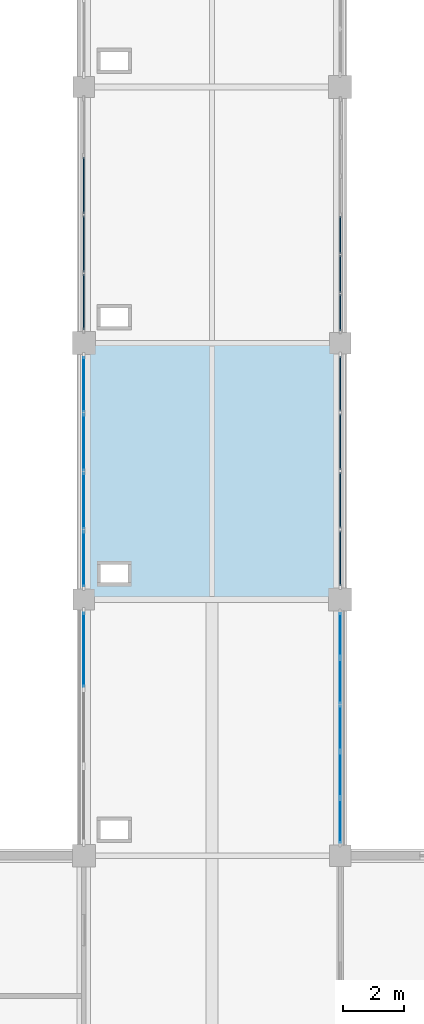
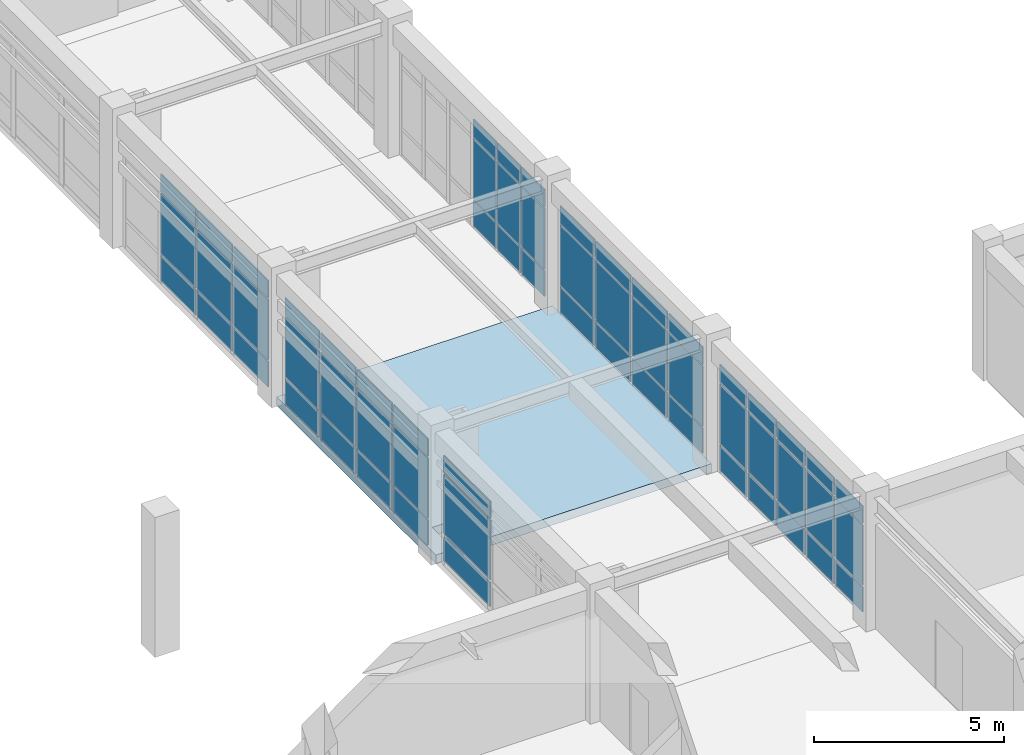
# One storey, part 46 of 78: 60 plates, 1 slab, 6 elements without a shape of their own.
"""IFC4 building model written with IfcOpenShell, lengths in metres."""

from ifc_helpers import new_model, si_unit, direction, frame, origin, origin_2d, place, context, subcontext, project, spatial, polyline, rectangle, outline, extrude, material, layer, layer_set, type_object, element, aggregate, save


model = new_model("IFC4")

# Units and contexts
model_context = context("Model", 3, precision=1e-05, world=origin(), true_north=direction((0.0, 1.0)))
body_context = subcontext(model_context, "Body", "Model", "MODEL_VIEW")
ifc_project = project(units=[si_unit("LENGTHUNIT", "METRE"), si_unit("AREAUNIT", "SQUARE_METRE"), si_unit("VOLUMEUNIT", "CUBIC_METRE"), si_unit("PLANEANGLEUNIT", "RADIAN"), si_unit("MASSUNIT", "GRAM", prefix="KILO")], contexts=[model_context])

# Site, building, storey
site_placement = place(None, origin())
site = spatial("IfcSite", under=ifc_project, at=site_placement, CompositionType="ELEMENT")
building_placement = place(site_placement, origin())
building = spatial("IfcBuilding", under=site, at=building_placement, Name="Porcellanite Civic Hall", CompositionType="ELEMENT")
storey_placement = place(building_placement, frame((0.0, 0.0, 10.260009765625)))
storey = spatial("IfcBuildingStorey", under=building, at=storey_placement, Name="L02", CompositionType="ELEMENT", Elevation=10.260009765625)

# Curtain wall, plates
ifc_material_1 = material(Name="Anodised aluminium and solar laminated glass", Category="aluminium")
ifc_layer_1 = layer(ifc_material_1, 0.179931640625)
ifc_layer_set_1 = layer_set([ifc_layer_1], Name="Anodised aluminium and solar laminated glass")
curtain_wall_type_1 = type_object("IfcCurtainWallType", Name="CW-SYS08", PredefinedType="NOTDEFINED", material=ifc_layer_set_1)
curtain_wall_1_placement = place(storey_placement, origin())
curtain_wall_1 = element("IfcCurtainWall", 1, at=curtain_wall_1_placement, inside=storey, type_object=curtain_wall_type_1, Name="Curtain wall CW-142", PredefinedType="NOTDEFINED")
ifc_material_2 = material(Name="Cyclone laminated solar-control low-E glass", Category="glass")
ifc_layer_2 = layer(ifc_material_2, 0.028076171875)
ifc_layer_set_2 = layer_set([ifc_layer_2], Name="Cyclone laminated solar-control low-E glass")
plate_type_1 = type_object("IfcPlateType", Name="CWP-03", PredefinedType="CURTAIN_PANEL", material=ifc_layer_set_2)
plate_1_placement = place(storey_placement, frame((50.39990234375, 73.9501953125, 0.070068359375), z_axis=(0.0, 0.0, 1.0), x_axis=(0.0, 1.0, 0.0)))
plate_1 = element("IfcPlate", 2, at=plate_1_placement, type_object=plate_type_1, Name="CW-142 panel 3.1", PredefinedType="CURTAIN_PANEL", context=body_context, shape_type="SweptSolid", body=[
    extrude(rectangle(XDim=2.437744140625, YDim=0.028076171875, at=origin_2d()), origin(), (0.0, 0.0, 1.0), 0.794921875),
])
plate_2_placement = place(storey_placement, frame((50.39990234375, 73.9501953125, 0.93505859375), z_axis=(0.0, 0.0, 1.0), x_axis=(0.0, 1.0, 0.0)))
plate_2 = element("IfcPlate", 3, at=plate_2_placement, type_object=plate_type_1, Name="CW-142 panel 3.2", PredefinedType="CURTAIN_PANEL", context=body_context, shape_type="SweptSolid", body=[
    extrude(rectangle(XDim=2.437744140625, YDim=0.028076171875, at=origin_2d()), origin(), (0.0, 0.0, 1.0), 1.919921875),
])
plate_3_placement = place(storey_placement, frame((50.39990234375, 73.9501953125, 2.925048828125), z_axis=(0.0, 0.0, 1.0), x_axis=(0.0, 1.0, 0.0)))
plate_3 = element("IfcPlate", 4, at=plate_3_placement, type_object=plate_type_1, Name="CW-142 panel 3.3", PredefinedType="CURTAIN_PANEL", context=body_context, shape_type="SweptSolid", body=[
    extrude(rectangle(XDim=2.437744140625, YDim=0.028076171875, at=origin_2d()), origin(), (0.0, 0.0, 1.0), 0.544921875),
])
aggregate(curtain_wall_1, [plate_1, plate_2, plate_3])

ifc_material_3 = material(Name="Anodised aluminium and solar laminated glass", Category="aluminium")
ifc_layer_3 = layer(ifc_material_3, 0.179931640625)
ifc_layer_set_3 = layer_set([ifc_layer_3], Name="Anodised aluminium and solar laminated glass")
curtain_wall_type_2 = type_object("IfcCurtainWallType", Name="CW-SYS01", PredefinedType="NOTDEFINED", material=ifc_layer_set_3)
curtain_wall_2_placement = place(storey_placement, origin())
curtain_wall_2 = element("IfcCurtainWall", 5, at=curtain_wall_2_placement, inside=storey, type_object=curtain_wall_type_2, Name="Curtain wall CW-143", PredefinedType="NOTDEFINED")
ifc_material_4 = material(Name="Cyclone laminated solar-control low-E glass", Category="glass")
ifc_layer_4 = layer(ifc_material_4, 0.030029296875)
ifc_layer_set_4 = layer_set([ifc_layer_4], Name="Cyclone laminated solar-control low-E glass")
plate_type_2 = type_object("IfcPlateType", Name="CWP-04", PredefinedType="CURTAIN_PANEL", material=ifc_layer_set_4)
plate_4_placement = place(storey_placement, frame((58.800048828125, 74.439208984375, 0.06005859375), z_axis=(0.0, 0.0, 1.0), x_axis=(0.0, -1.0, 0.0)))
plate_4 = element("IfcPlate", 6, at=plate_4_placement, type_object=plate_type_2, Name="CW-143 panel 1.1", PredefinedType="CURTAIN_PANEL", context=body_context, shape_type="SweptSolid", body=[
    extrude(rectangle(XDim=1.4296875, YDim=0.030029296875, at=origin_2d()), origin(), (0.0, 0.0, 1.0), 0.81005859375),
])
plate_5_placement = place(storey_placement, frame((58.800048828125, 74.439208984375, 0.93017578125), z_axis=(0.0, 0.0, 1.0), x_axis=(0.0, -1.0, 0.0)))
plate_5 = element("IfcPlate", 7, at=plate_5_placement, type_object=plate_type_2, Name="CW-143 panel 1.2", PredefinedType="CURTAIN_PANEL", context=body_context, shape_type="SweptSolid", body=[
    extrude(rectangle(XDim=1.4296875, YDim=0.030029296875, at=origin_2d()), origin(), (0.0, 0.0, 1.0), 1.929931640625),
])
plate_6_placement = place(storey_placement, frame((58.800048828125, 74.439208984375, 2.919921875), z_axis=(0.0, 0.0, 1.0), x_axis=(0.0, -1.0, 0.0)))
plate_6 = element("IfcPlate", 8, at=plate_6_placement, type_object=plate_type_2, Name="CW-143 panel 1.3", PredefinedType="CURTAIN_PANEL", context=body_context, shape_type="SweptSolid", body=[
    extrude(rectangle(XDim=1.4296875, YDim=0.030029296875, at=origin_2d()), origin(), (0.0, 0.0, 1.0), 0.56005859375),
])
plate_7_placement = place(storey_placement, frame((58.800048828125, 72.922119140625, 0.06005859375), z_axis=(0.0, 0.0, 1.0), x_axis=(0.0, -1.0, 0.0)))
plate_7 = element("IfcPlate", 9, at=plate_7_placement, type_object=plate_type_2, Name="CW-143 panel 2.1", PredefinedType="CURTAIN_PANEL", context=body_context, shape_type="SweptSolid", body=[
    extrude(rectangle(XDim=1.464599609375, YDim=0.030029296875, at=origin_2d()), origin(), (0.0, 0.0, 1.0), 0.81005859375),
])
plate_8_placement = place(storey_placement, frame((58.800048828125, 72.922119140625, 0.93017578125), z_axis=(0.0, 0.0, 1.0), x_axis=(0.0, -1.0, 0.0)))
plate_8 = element("IfcPlate", 10, at=plate_8_placement, type_object=plate_type_2, Name="CW-143 panel 2.2", PredefinedType="CURTAIN_PANEL", context=body_context, shape_type="SweptSolid", body=[
    extrude(rectangle(XDim=1.464599609375, YDim=0.030029296875, at=origin_2d()), origin(), (0.0, 0.0, 1.0), 1.929931640625),
])
plate_9_placement = place(storey_placement, frame((58.800048828125, 72.922119140625, 2.919921875), z_axis=(0.0, 0.0, 1.0), x_axis=(0.0, -1.0, 0.0)))
plate_9 = element("IfcPlate", 11, at=plate_9_placement, type_object=plate_type_2, Name="CW-143 panel 2.3", PredefinedType="CURTAIN_PANEL", context=body_context, shape_type="SweptSolid", body=[
    extrude(rectangle(XDim=1.464599609375, YDim=0.030029296875, at=origin_2d()), origin(), (0.0, 0.0, 1.0), 0.56005859375),
])
plate_10_placement = place(storey_placement, frame((58.800048828125, 71.387451171875, 0.06005859375), z_axis=(0.0, 0.0, 1.0), x_axis=(0.0, -1.0, 0.0)))
plate_10 = element("IfcPlate", 12, at=plate_10_placement, type_object=plate_type_2, Name="CW-143 panel 3.1", PredefinedType="CURTAIN_PANEL", context=body_context, shape_type="SweptSolid", body=[
    extrude(rectangle(XDim=1.464599609375, YDim=0.030029296875, at=origin_2d()), origin(), (0.0, 0.0, 1.0), 0.81005859375),
])
plate_11_placement = place(storey_placement, frame((58.800048828125, 71.387451171875, 0.93017578125), z_axis=(0.0, 0.0, 1.0), x_axis=(0.0, -1.0, 0.0)))
plate_11 = element("IfcPlate", 13, at=plate_11_placement, type_object=plate_type_2, Name="CW-143 panel 3.2", PredefinedType="CURTAIN_PANEL", context=body_context, shape_type="SweptSolid", body=[
    extrude(rectangle(XDim=1.464599609375, YDim=0.030029296875, at=origin_2d()), origin(), (0.0, 0.0, 1.0), 1.929931640625),
])
plate_12_placement = place(storey_placement, frame((58.800048828125, 71.387451171875, 2.919921875), z_axis=(0.0, 0.0, 1.0), x_axis=(0.0, -1.0, 0.0)))
plate_12 = element("IfcPlate", 14, at=plate_12_placement, type_object=plate_type_2, Name="CW-143 panel 3.3", PredefinedType="CURTAIN_PANEL", context=body_context, shape_type="SweptSolid", body=[
    extrude(rectangle(XDim=1.464599609375, YDim=0.030029296875, at=origin_2d()), origin(), (0.0, 0.0, 1.0), 0.56005859375),
])
plate_13_placement = place(storey_placement, frame((58.800048828125, 69.852783203125, 0.06005859375), z_axis=(0.0, 0.0, 1.0), x_axis=(0.0, -1.0, 0.0)))
plate_13 = element("IfcPlate", 15, at=plate_13_placement, type_object=plate_type_2, Name="CW-143 panel 4.1", PredefinedType="CURTAIN_PANEL", context=body_context, shape_type="SweptSolid", body=[
    extrude(rectangle(XDim=1.464599609375, YDim=0.030029296875, at=origin_2d()), origin(), (0.0, 0.0, 1.0), 0.81005859375),
])
plate_14_placement = place(storey_placement, frame((58.800048828125, 69.852783203125, 0.93017578125), z_axis=(0.0, 0.0, 1.0), x_axis=(0.0, -1.0, 0.0)))
plate_14 = element("IfcPlate", 16, at=plate_14_placement, type_object=plate_type_2, Name="CW-143 panel 4.2", PredefinedType="CURTAIN_PANEL", context=body_context, shape_type="SweptSolid", body=[
    extrude(rectangle(XDim=1.464599609375, YDim=0.030029296875, at=origin_2d()), origin(), (0.0, 0.0, 1.0), 1.929931640625),
])
plate_15_placement = place(storey_placement, frame((58.800048828125, 69.852783203125, 2.919921875), z_axis=(0.0, 0.0, 1.0), x_axis=(0.0, -1.0, 0.0)))
plate_15 = element("IfcPlate", 17, at=plate_15_placement, type_object=plate_type_2, Name="CW-143 panel 4.3", PredefinedType="CURTAIN_PANEL", context=body_context, shape_type="SweptSolid", body=[
    extrude(rectangle(XDim=1.464599609375, YDim=0.030029296875, at=origin_2d()), origin(), (0.0, 0.0, 1.0), 0.56005859375),
])
plate_16_placement = place(storey_placement, frame((58.800048828125, 68.335693359375, 0.06005859375), z_axis=(0.0, 0.0, 1.0), x_axis=(0.0, -1.0, 0.0)))
plate_16 = element("IfcPlate", 18, at=plate_16_placement, type_object=plate_type_2, Name="CW-143 panel 5.1", PredefinedType="CURTAIN_PANEL", context=body_context, shape_type="SweptSolid", body=[
    extrude(rectangle(XDim=1.4296875, YDim=0.030029296875, at=origin_2d()), origin(), (0.0, 0.0, 1.0), 0.81005859375),
])
plate_17_placement = place(storey_placement, frame((58.800048828125, 68.335693359375, 0.93017578125), z_axis=(0.0, 0.0, 1.0), x_axis=(0.0, -1.0, 0.0)))
plate_17 = element("IfcPlate", 19, at=plate_17_placement, type_object=plate_type_2, Name="CW-143 panel 5.2", PredefinedType="CURTAIN_PANEL", context=body_context, shape_type="SweptSolid", body=[
    extrude(rectangle(XDim=1.4296875, YDim=0.030029296875, at=origin_2d()), origin(), (0.0, 0.0, 1.0), 1.929931640625),
])
plate_18_placement = place(storey_placement, frame((58.800048828125, 68.335693359375, 2.919921875), z_axis=(0.0, 0.0, 1.0), x_axis=(0.0, -1.0, 0.0)))
plate_18 = element("IfcPlate", 20, at=plate_18_placement, type_object=plate_type_2, Name="CW-143 panel 5.3", PredefinedType="CURTAIN_PANEL", context=body_context, shape_type="SweptSolid", body=[
    extrude(rectangle(XDim=1.4296875, YDim=0.030029296875, at=origin_2d()), origin(), (0.0, 0.0, 1.0), 0.56005859375),
])
aggregate(curtain_wall_2, [plate_4, plate_5, plate_6, plate_7, plate_8, plate_9, plate_10, plate_11, plate_12, plate_13, plate_14, plate_15, plate_16, plate_17, plate_18])

ifc_material_5 = material(Name="Anodised aluminium and solar laminated glass", Category="aluminium")
ifc_layer_5 = layer(ifc_material_5, 0.179931640625)
ifc_layer_set_5 = layer_set([ifc_layer_5], Name="Anodised aluminium and solar laminated glass")
curtain_wall_type_3 = type_object("IfcCurtainWallType", Name="CW-SYS03", PredefinedType="NOTDEFINED", material=ifc_layer_set_5)
curtain_wall_3_placement = place(storey_placement, origin())
curtain_wall_3 = element("IfcCurtainWall", 21, at=curtain_wall_3_placement, inside=storey, type_object=curtain_wall_type_3, Name="Curtain wall CW-144", PredefinedType="NOTDEFINED")
ifc_material_6 = material(Name="Cyclone laminated solar-control low-E glass", Category="glass")
ifc_layer_6 = layer(ifc_material_6, 0.031982421875)
ifc_layer_set_6 = layer_set([ifc_layer_6], Name="Cyclone laminated solar-control low-E glass")
plate_type_3 = type_object("IfcPlateType", Name="CWP-05", PredefinedType="CURTAIN_PANEL", material=ifc_layer_set_6)
plate_19_placement = place(storey_placement, frame((50.39990234375, 76.93017578125, 0.054931640625), z_axis=(0.0, 0.0, 1.0), x_axis=(0.0, 1.0, 0.0)))
plate_19 = element("IfcPlate", 22, at=plate_19_placement, type_object=plate_type_3, Name="CW-144 panel 1.1", PredefinedType="CURTAIN_PANEL", context=body_context, shape_type="SweptSolid", body=[
    extrude(rectangle(XDim=1.79833984375, YDim=0.031982421875, at=origin_2d()), origin(), (0.0, 0.0, 1.0), 0.8173828125),
])
plate_20_placement = place(storey_placement, frame((50.39990234375, 76.93017578125, 0.927490234375), z_axis=(0.0, 0.0, 1.0), x_axis=(0.0, 1.0, 0.0)))
plate_20 = element("IfcPlate", 23, at=plate_20_placement, type_object=plate_type_3, Name="CW-144 panel 1.2", PredefinedType="CURTAIN_PANEL", context=body_context, shape_type="SweptSolid", body=[
    extrude(rectangle(XDim=1.79833984375, YDim=0.031982421875, at=origin_2d()), origin(), (0.0, 0.0, 1.0), 1.93505859375),
])
plate_21_placement = place(storey_placement, frame((50.39990234375, 76.93017578125, 2.91748046875), z_axis=(0.0, 0.0, 1.0), x_axis=(0.0, 1.0, 0.0)))
plate_21 = element("IfcPlate", 24, at=plate_21_placement, type_object=plate_type_3, Name="CW-144 panel 1.3", PredefinedType="CURTAIN_PANEL", context=body_context, shape_type="SweptSolid", body=[
    extrude(rectangle(XDim=1.79833984375, YDim=0.031982421875, at=origin_2d()), origin(), (0.0, 0.0, 1.0), 0.5673828125),
])
plate_22_placement = place(storey_placement, frame((50.39990234375, 78.828369140625, 0.054931640625), z_axis=(0.0, 0.0, 1.0), x_axis=(0.0, 1.0, 0.0)))
plate_22 = element("IfcPlate", 25, at=plate_22_placement, type_object=plate_type_3, Name="CW-144 panel 2.1", PredefinedType="CURTAIN_PANEL", context=body_context, shape_type="SweptSolid", body=[
    extrude(rectangle(XDim=1.838134765625, YDim=0.031982421875, at=origin_2d()), origin(), (0.0, 0.0, 1.0), 0.8173828125),
])
plate_23_placement = place(storey_placement, frame((50.39990234375, 78.828369140625, 0.927490234375), z_axis=(0.0, 0.0, 1.0), x_axis=(0.0, 1.0, 0.0)))
plate_23 = element("IfcPlate", 26, at=plate_23_placement, type_object=plate_type_3, Name="CW-144 panel 2.2", PredefinedType="CURTAIN_PANEL", context=body_context, shape_type="SweptSolid", body=[
    extrude(rectangle(XDim=1.838134765625, YDim=0.031982421875, at=origin_2d()), origin(), (0.0, 0.0, 1.0), 1.93505859375),
])
plate_24_placement = place(storey_placement, frame((50.39990234375, 78.828369140625, 2.91748046875), z_axis=(0.0, 0.0, 1.0), x_axis=(0.0, 1.0, 0.0)))
plate_24 = element("IfcPlate", 27, at=plate_24_placement, type_object=plate_type_3, Name="CW-144 panel 2.3", PredefinedType="CURTAIN_PANEL", context=body_context, shape_type="SweptSolid", body=[
    extrude(rectangle(XDim=1.838134765625, YDim=0.031982421875, at=origin_2d()), origin(), (0.0, 0.0, 1.0), 0.5673828125),
])
plate_25_placement = place(storey_placement, frame((50.39990234375, 80.74658203125, 0.054931640625), z_axis=(0.0, 0.0, 1.0), x_axis=(0.0, 1.0, 0.0)))
plate_25 = element("IfcPlate", 28, at=plate_25_placement, type_object=plate_type_3, Name="CW-144 panel 3.1", PredefinedType="CURTAIN_PANEL", context=body_context, shape_type="SweptSolid", body=[
    extrude(rectangle(XDim=1.838134765625, YDim=0.031982421875, at=origin_2d()), origin(), (0.0, 0.0, 1.0), 0.8173828125),
])
plate_26_placement = place(storey_placement, frame((50.39990234375, 80.74658203125, 0.927490234375), z_axis=(0.0, 0.0, 1.0), x_axis=(0.0, 1.0, 0.0)))
plate_26 = element("IfcPlate", 29, at=plate_26_placement, type_object=plate_type_3, Name="CW-144 panel 3.2", PredefinedType="CURTAIN_PANEL", context=body_context, shape_type="SweptSolid", body=[
    extrude(rectangle(XDim=1.838134765625, YDim=0.031982421875, at=origin_2d()), origin(), (0.0, 0.0, 1.0), 1.93505859375),
])
plate_27_placement = place(storey_placement, frame((50.39990234375, 80.74658203125, 2.91748046875), z_axis=(0.0, 0.0, 1.0), x_axis=(0.0, 1.0, 0.0)))
plate_27 = element("IfcPlate", 30, at=plate_27_placement, type_object=plate_type_3, Name="CW-144 panel 3.3", PredefinedType="CURTAIN_PANEL", context=body_context, shape_type="SweptSolid", body=[
    extrude(rectangle(XDim=1.838134765625, YDim=0.031982421875, at=origin_2d()), origin(), (0.0, 0.0, 1.0), 0.5673828125),
])
plate_28_placement = place(storey_placement, frame((50.39990234375, 82.644775390625, 0.054931640625), z_axis=(0.0, 0.0, 1.0), x_axis=(0.0, 1.0, 0.0)))
plate_28 = element("IfcPlate", 31, at=plate_28_placement, type_object=plate_type_3, Name="CW-144 panel 4.1", PredefinedType="CURTAIN_PANEL", context=body_context, shape_type="SweptSolid", body=[
    extrude(rectangle(XDim=1.79833984375, YDim=0.031982421875, at=origin_2d()), origin(), (0.0, 0.0, 1.0), 0.8173828125),
])
plate_29_placement = place(storey_placement, frame((50.39990234375, 82.644775390625, 0.927490234375), z_axis=(0.0, 0.0, 1.0), x_axis=(0.0, 1.0, 0.0)))
plate_29 = element("IfcPlate", 32, at=plate_29_placement, type_object=plate_type_3, Name="CW-144 panel 4.2", PredefinedType="CURTAIN_PANEL", context=body_context, shape_type="SweptSolid", body=[
    extrude(rectangle(XDim=1.79833984375, YDim=0.031982421875, at=origin_2d()), origin(), (0.0, 0.0, 1.0), 1.93505859375),
])
plate_30_placement = place(storey_placement, frame((50.39990234375, 82.644775390625, 2.91748046875), z_axis=(0.0, 0.0, 1.0), x_axis=(0.0, 1.0, 0.0)))
plate_30 = element("IfcPlate", 33, at=plate_30_placement, type_object=plate_type_3, Name="CW-144 panel 4.3", PredefinedType="CURTAIN_PANEL", context=body_context, shape_type="SweptSolid", body=[
    extrude(rectangle(XDim=1.79833984375, YDim=0.031982421875, at=origin_2d()), origin(), (0.0, 0.0, 1.0), 0.5673828125),
])
aggregate(curtain_wall_3, [plate_19, plate_20, plate_21, plate_22, plate_23, plate_24, plate_25, plate_26, plate_27, plate_28, plate_29, plate_30])

ifc_material_7 = material(Name="Anodised aluminium and solar laminated glass", Category="aluminium")
ifc_layer_7 = layer(ifc_material_7, 0.179931640625)
ifc_layer_set_7 = layer_set([ifc_layer_7], Name="Anodised aluminium and solar laminated glass")
curtain_wall_type_4 = type_object("IfcCurtainWallType", Name="CW-SYS04", PredefinedType="NOTDEFINED", material=ifc_layer_set_7)
curtain_wall_4_placement = place(storey_placement, origin())
curtain_wall_4 = element("IfcCurtainWall", 34, at=curtain_wall_4_placement, inside=storey, type_object=curtain_wall_type_4, Name="Curtain wall CW-145", PredefinedType="NOTDEFINED")
ifc_material_8 = material(Name="Cyclone laminated solar-control low-E glass", Category="glass")
ifc_layer_8 = layer(ifc_material_8, 0.033935546875)
ifc_layer_set_8 = layer_set([ifc_layer_8], Name="Cyclone laminated solar-control low-E glass")
plate_type_4 = type_object("IfcPlateType", Name="CWP-06", PredefinedType="CURTAIN_PANEL", material=ifc_layer_set_8)
plate_31_placement = place(storey_placement, frame((58.800048828125, 82.671142578125, 0.054931640625), z_axis=(0.0, 0.0, 1.0), x_axis=(0.0, -1.0, 0.0)))
plate_31 = element("IfcPlate", 35, at=plate_31_placement, type_object=plate_type_4, Name="CW-145 panel 1.1", PredefinedType="CURTAIN_PANEL", context=body_context, shape_type="SweptSolid", body=[
    extrude(rectangle(XDim=1.8056640625, YDim=0.033935546875, at=origin_2d()), origin(), (0.0, 0.0, 1.0), 0.8173828125),
])
plate_32_placement = place(storey_placement, frame((58.800048828125, 82.671142578125, 0.927490234375), z_axis=(0.0, 0.0, 1.0), x_axis=(0.0, -1.0, 0.0)))
plate_32 = element("IfcPlate", 36, at=plate_32_placement, type_object=plate_type_4, Name="CW-145 panel 1.2", PredefinedType="CURTAIN_PANEL", context=body_context, shape_type="SweptSolid", body=[
    extrude(rectangle(XDim=1.8056640625, YDim=0.033935546875, at=origin_2d()), origin(), (0.0, 0.0, 1.0), 1.93505859375),
])
plate_33_placement = place(storey_placement, frame((58.800048828125, 82.671142578125, 2.91748046875), z_axis=(0.0, 0.0, 1.0), x_axis=(0.0, -1.0, 0.0)))
plate_33 = element("IfcPlate", 37, at=plate_33_placement, type_object=plate_type_4, Name="CW-145 panel 1.3", PredefinedType="CURTAIN_PANEL", context=body_context, shape_type="SweptSolid", body=[
    extrude(rectangle(XDim=1.8056640625, YDim=0.033935546875, at=origin_2d()), origin(), (0.0, 0.0, 1.0), 0.5673828125),
])
plate_34_placement = place(storey_placement, frame((58.800048828125, 80.771728515625, 0.054931640625), z_axis=(0.0, 0.0, 1.0), x_axis=(0.0, -1.0, 0.0)))
plate_34 = element("IfcPlate", 38, at=plate_34_placement, type_object=plate_type_4, Name="CW-145 panel 2.1", PredefinedType="CURTAIN_PANEL", context=body_context, shape_type="SweptSolid", body=[
    extrude(rectangle(XDim=1.84326171875, YDim=0.033935546875, at=origin_2d()), origin(), (0.0, 0.0, 1.0), 0.8173828125),
])
plate_35_placement = place(storey_placement, frame((58.800048828125, 80.771728515625, 0.927490234375), z_axis=(0.0, 0.0, 1.0), x_axis=(0.0, -1.0, 0.0)))
plate_35 = element("IfcPlate", 39, at=plate_35_placement, type_object=plate_type_4, Name="CW-145 panel 2.2", PredefinedType="CURTAIN_PANEL", context=body_context, shape_type="SweptSolid", body=[
    extrude(rectangle(XDim=1.84326171875, YDim=0.033935546875, at=origin_2d()), origin(), (0.0, 0.0, 1.0), 1.93505859375),
])
plate_36_placement = place(storey_placement, frame((58.800048828125, 80.771728515625, 2.91748046875), z_axis=(0.0, 0.0, 1.0), x_axis=(0.0, -1.0, 0.0)))
plate_36 = element("IfcPlate", 40, at=plate_36_placement, type_object=plate_type_4, Name="CW-145 panel 2.3", PredefinedType="CURTAIN_PANEL", context=body_context, shape_type="SweptSolid", body=[
    extrude(rectangle(XDim=1.84326171875, YDim=0.033935546875, at=origin_2d()), origin(), (0.0, 0.0, 1.0), 0.5673828125),
])
plate_37_placement = place(storey_placement, frame((58.800048828125, 78.853271484375, 0.054931640625), z_axis=(0.0, 0.0, 1.0), x_axis=(0.0, -1.0, 0.0)))
plate_37 = element("IfcPlate", 41, at=plate_37_placement, type_object=plate_type_4, Name="CW-145 panel 3.1", PredefinedType="CURTAIN_PANEL", context=body_context, shape_type="SweptSolid", body=[
    extrude(rectangle(XDim=1.84326171875, YDim=0.033935546875, at=origin_2d()), origin(), (0.0, 0.0, 1.0), 0.8173828125),
])
plate_38_placement = place(storey_placement, frame((58.800048828125, 78.853271484375, 0.927490234375), z_axis=(0.0, 0.0, 1.0), x_axis=(0.0, -1.0, 0.0)))
plate_38 = element("IfcPlate", 42, at=plate_38_placement, type_object=plate_type_4, Name="CW-145 panel 3.2", PredefinedType="CURTAIN_PANEL", context=body_context, shape_type="SweptSolid", body=[
    extrude(rectangle(XDim=1.84326171875, YDim=0.033935546875, at=origin_2d()), origin(), (0.0, 0.0, 1.0), 1.93505859375),
])
plate_39_placement = place(storey_placement, frame((58.800048828125, 78.853271484375, 2.91748046875), z_axis=(0.0, 0.0, 1.0), x_axis=(0.0, -1.0, 0.0)))
plate_39 = element("IfcPlate", 43, at=plate_39_placement, type_object=plate_type_4, Name="CW-145 panel 3.3", PredefinedType="CURTAIN_PANEL", context=body_context, shape_type="SweptSolid", body=[
    extrude(rectangle(XDim=1.84326171875, YDim=0.033935546875, at=origin_2d()), origin(), (0.0, 0.0, 1.0), 0.5673828125),
])
plate_40_placement = place(storey_placement, frame((58.800048828125, 76.953857421875, 0.054931640625), z_axis=(0.0, 0.0, 1.0), x_axis=(0.0, -1.0, 0.0)))
plate_40 = element("IfcPlate", 44, at=plate_40_placement, type_object=plate_type_4, Name="CW-145 panel 4.1", PredefinedType="CURTAIN_PANEL", context=body_context, shape_type="SweptSolid", body=[
    extrude(rectangle(XDim=1.8056640625, YDim=0.033935546875, at=origin_2d()), origin(), (0.0, 0.0, 1.0), 0.8173828125),
])
plate_41_placement = place(storey_placement, frame((58.800048828125, 76.953857421875, 0.927490234375), z_axis=(0.0, 0.0, 1.0), x_axis=(0.0, -1.0, 0.0)))
plate_41 = element("IfcPlate", 45, at=plate_41_placement, type_object=plate_type_4, Name="CW-145 panel 4.2", PredefinedType="CURTAIN_PANEL", context=body_context, shape_type="SweptSolid", body=[
    extrude(rectangle(XDim=1.8056640625, YDim=0.033935546875, at=origin_2d()), origin(), (0.0, 0.0, 1.0), 1.93505859375),
])
plate_42_placement = place(storey_placement, frame((58.800048828125, 76.953857421875, 2.91748046875), z_axis=(0.0, 0.0, 1.0), x_axis=(0.0, -1.0, 0.0)))
plate_42 = element("IfcPlate", 46, at=plate_42_placement, type_object=plate_type_4, Name="CW-145 panel 4.3", PredefinedType="CURTAIN_PANEL", context=body_context, shape_type="SweptSolid", body=[
    extrude(rectangle(XDim=1.8056640625, YDim=0.033935546875, at=origin_2d()), origin(), (0.0, 0.0, 1.0), 0.5673828125),
])
aggregate(curtain_wall_4, [plate_31, plate_32, plate_33, plate_34, plate_35, plate_36, plate_37, plate_38, plate_39, plate_40, plate_41, plate_42])

ifc_material_9 = material(Name="Anodised aluminium and solar laminated glass", Category="aluminium")
ifc_layer_9 = layer(ifc_material_9, 0.179931640625)
ifc_layer_set_9 = layer_set([ifc_layer_9], Name="Anodised aluminium and solar laminated glass")
curtain_wall_type_5 = type_object("IfcCurtainWallType", Name="CW-SYS06", PredefinedType="NOTDEFINED", material=ifc_layer_set_9)
curtain_wall_5_placement = place(storey_placement, origin())
curtain_wall_5 = element("IfcCurtainWall", 47, at=curtain_wall_5_placement, inside=storey, type_object=curtain_wall_type_5, Name="Curtain wall CW-146", PredefinedType="NOTDEFINED")
ifc_material_10 = material(Name="Cyclone laminated solar-control low-E glass", Category="glass")
ifc_layer_10 = layer(ifc_material_10, 0.035888671875)
ifc_layer_set_10 = layer_set([ifc_layer_10], Name="Cyclone laminated solar-control low-E glass")
plate_type_5 = type_object("IfcPlateType", Name="CWP-07", PredefinedType="CURTAIN_PANEL", material=ifc_layer_set_10)
plate_43_placement = place(storey_placement, frame((50.39990234375, 85.351318359375, 0.0498046875), z_axis=(0.0, 0.0, 1.0), x_axis=(0.0, 1.0, 0.0)))
plate_43 = element("IfcPlate", 48, at=plate_43_placement, type_object=plate_type_5, Name="CW-146 panel 1.1", PredefinedType="CURTAIN_PANEL", context=body_context, shape_type="SweptSolid", body=[
    extrude(rectangle(XDim=1.82080078125, YDim=0.035888671875, at=origin_2d()), origin(), (0.0, 0.0, 1.0), 0.824951171875),
])
plate_44_placement = place(storey_placement, frame((50.39990234375, 85.351318359375, 0.925048828125), z_axis=(0.0, 0.0, 1.0), x_axis=(0.0, 1.0, 0.0)))
plate_44 = element("IfcPlate", 49, at=plate_44_placement, type_object=plate_type_5, Name="CW-146 panel 1.2", PredefinedType="CURTAIN_PANEL", context=body_context, shape_type="SweptSolid", body=[
    extrude(rectangle(XDim=1.82080078125, YDim=0.035888671875, at=origin_2d()), origin(), (0.0, 0.0, 1.0), 1.93994140625),
])
plate_45_placement = place(storey_placement, frame((50.39990234375, 85.351318359375, 2.9150390625), z_axis=(0.0, 0.0, 1.0), x_axis=(0.0, 1.0, 0.0)))
plate_45 = element("IfcPlate", 50, at=plate_45_placement, type_object=plate_type_5, Name="CW-146 panel 1.3", PredefinedType="CURTAIN_PANEL", context=body_context, shape_type="SweptSolid", body=[
    extrude(rectangle(XDim=1.82080078125, YDim=0.035888671875, at=origin_2d()), origin(), (0.0, 0.0, 1.0), 0.574951171875),
])
plate_46_placement = place(storey_placement, frame((50.39990234375, 87.25341796875, 0.0498046875), z_axis=(0.0, 0.0, 1.0), x_axis=(0.0, 1.0, 0.0)))
plate_46 = element("IfcPlate", 51, at=plate_46_placement, type_object=plate_type_5, Name="CW-146 panel 2.1", PredefinedType="CURTAIN_PANEL", context=body_context, shape_type="SweptSolid", body=[
    extrude(rectangle(XDim=1.853271484375, YDim=0.035888671875, at=origin_2d()), origin(), (0.0, 0.0, 1.0), 0.824951171875),
])
plate_47_placement = place(storey_placement, frame((50.39990234375, 87.25341796875, 0.925048828125), z_axis=(0.0, 0.0, 1.0), x_axis=(0.0, 1.0, 0.0)))
plate_47 = element("IfcPlate", 52, at=plate_47_placement, type_object=plate_type_5, Name="CW-146 panel 2.2", PredefinedType="CURTAIN_PANEL", context=body_context, shape_type="SweptSolid", body=[
    extrude(rectangle(XDim=1.853271484375, YDim=0.035888671875, at=origin_2d()), origin(), (0.0, 0.0, 1.0), 1.93994140625),
])
plate_48_placement = place(storey_placement, frame((50.39990234375, 87.25341796875, 2.9150390625), z_axis=(0.0, 0.0, 1.0), x_axis=(0.0, 1.0, 0.0)))
plate_48 = element("IfcPlate", 53, at=plate_48_placement, type_object=plate_type_5, Name="CW-146 panel 2.3", PredefinedType="CURTAIN_PANEL", context=body_context, shape_type="SweptSolid", body=[
    extrude(rectangle(XDim=1.853271484375, YDim=0.035888671875, at=origin_2d()), origin(), (0.0, 0.0, 1.0), 0.574951171875),
])
plate_49_placement = place(storey_placement, frame((50.39990234375, 89.171630859375, 0.0498046875), z_axis=(0.0, 0.0, 1.0), x_axis=(0.0, 1.0, 0.0)))
plate_49 = element("IfcPlate", 54, at=plate_49_placement, type_object=plate_type_5, Name="CW-146 panel 3.1", PredefinedType="CURTAIN_PANEL", context=body_context, shape_type="SweptSolid", body=[
    extrude(rectangle(XDim=1.853271484375, YDim=0.035888671875, at=origin_2d()), origin(), (0.0, 0.0, 1.0), 0.824951171875),
])
plate_50_placement = place(storey_placement, frame((50.39990234375, 89.171630859375, 0.925048828125), z_axis=(0.0, 0.0, 1.0), x_axis=(0.0, 1.0, 0.0)))
plate_50 = element("IfcPlate", 55, at=plate_50_placement, type_object=plate_type_5, Name="CW-146 panel 3.2", PredefinedType="CURTAIN_PANEL", context=body_context, shape_type="SweptSolid", body=[
    extrude(rectangle(XDim=1.853271484375, YDim=0.035888671875, at=origin_2d()), origin(), (0.0, 0.0, 1.0), 1.93994140625),
])
plate_51_placement = place(storey_placement, frame((50.39990234375, 89.171630859375, 2.9150390625), z_axis=(0.0, 0.0, 1.0), x_axis=(0.0, 1.0, 0.0)))
plate_51 = element("IfcPlate", 56, at=plate_51_placement, type_object=plate_type_5, Name="CW-146 panel 3.3", PredefinedType="CURTAIN_PANEL", context=body_context, shape_type="SweptSolid", body=[
    extrude(rectangle(XDim=1.853271484375, YDim=0.035888671875, at=origin_2d()), origin(), (0.0, 0.0, 1.0), 0.574951171875),
])
aggregate(curtain_wall_5, [plate_43, plate_44, plate_45, plate_46, plate_47, plate_48, plate_49, plate_50, plate_51])

ifc_material_11 = material(Name="Anodised aluminium and solar laminated glass", Category="aluminium")
ifc_layer_11 = layer(ifc_material_11, 0.179931640625)
ifc_layer_set_11 = layer_set([ifc_layer_11], Name="Anodised aluminium and solar laminated glass")
curtain_wall_type_6 = type_object("IfcCurtainWallType", Name="CW-SYS07", PredefinedType="NOTDEFINED", material=ifc_layer_set_11)
curtain_wall_6_placement = place(storey_placement, origin())
curtain_wall_6 = element("IfcCurtainWall", 57, at=curtain_wall_6_placement, inside=storey, type_object=curtain_wall_type_6, Name="Curtain wall CW-147", PredefinedType="NOTDEFINED")
ifc_material_12 = material(Name="Insulated ochre aluminium spandrel panel", Category="aluminium")
ifc_layer_12 = layer(ifc_material_12, 0.0380859375)
ifc_layer_set_12 = layer_set([ifc_layer_12], Name="Insulated ochre aluminium spandrel panel")
plate_type_6 = type_object("IfcPlateType", Name="CWP-08", PredefinedType="CURTAIN_PANEL", material=ifc_layer_set_12)
plate_52_placement = place(storey_placement, frame((58.800048828125, 87.548095703125, 0.0498046875), z_axis=(0.0, 0.0, 1.0), x_axis=(0.0, -1.0, 0.0)))
plate_52 = element("IfcPlate", 58, at=plate_52_placement, type_object=plate_type_6, Name="CW-147 panel 4.1", PredefinedType="CURTAIN_PANEL", context=body_context, shape_type="SweptSolid", body=[
    extrude(rectangle(XDim=1.21875, YDim=0.0380859375, at=origin_2d()), origin(), (0.0, 0.0, 1.0), 0.824951171875),
])
plate_53_placement = place(storey_placement, frame((58.800048828125, 87.548095703125, 0.925048828125), z_axis=(0.0, 0.0, 1.0), x_axis=(0.0, -1.0, 0.0)))
plate_53 = element("IfcPlate", 59, at=plate_53_placement, type_object=plate_type_6, Name="CW-147 panel 4.2", PredefinedType="CURTAIN_PANEL", context=body_context, shape_type="SweptSolid", body=[
    extrude(rectangle(XDim=1.21875, YDim=0.0380859375, at=origin_2d()), origin(), (0.0, 0.0, 1.0), 1.93994140625),
])
plate_54_placement = place(storey_placement, frame((58.800048828125, 87.548095703125, 2.9150390625), z_axis=(0.0, 0.0, 1.0), x_axis=(0.0, -1.0, 0.0)))
plate_54 = element("IfcPlate", 60, at=plate_54_placement, type_object=plate_type_6, Name="CW-147 panel 4.3", PredefinedType="CURTAIN_PANEL", context=body_context, shape_type="SweptSolid", body=[
    extrude(rectangle(XDim=1.21875, YDim=0.0380859375, at=origin_2d()), origin(), (0.0, 0.0, 1.0), 0.574951171875),
])
plate_55_placement = place(storey_placement, frame((58.800048828125, 86.269287109375, 0.0498046875), z_axis=(0.0, 0.0, 1.0), x_axis=(0.0, -1.0, 0.0)))
plate_55 = element("IfcPlate", 61, at=plate_55_placement, type_object=plate_type_6, Name="CW-147 panel 5.1", PredefinedType="CURTAIN_PANEL", context=body_context, shape_type="SweptSolid", body=[
    extrude(rectangle(XDim=1.21875, YDim=0.0380859375, at=origin_2d()), origin(), (0.0, 0.0, 1.0), 0.824951171875),
])
plate_56_placement = place(storey_placement, frame((58.800048828125, 86.269287109375, 0.925048828125), z_axis=(0.0, 0.0, 1.0), x_axis=(0.0, -1.0, 0.0)))
plate_56 = element("IfcPlate", 62, at=plate_56_placement, type_object=plate_type_6, Name="CW-147 panel 5.2", PredefinedType="CURTAIN_PANEL", context=body_context, shape_type="SweptSolid", body=[
    extrude(rectangle(XDim=1.21875, YDim=0.0380859375, at=origin_2d()), origin(), (0.0, 0.0, 1.0), 1.93994140625),
])
plate_57_placement = place(storey_placement, frame((58.800048828125, 86.269287109375, 2.9150390625), z_axis=(0.0, 0.0, 1.0), x_axis=(0.0, -1.0, 0.0)))
plate_57 = element("IfcPlate", 63, at=plate_57_placement, type_object=plate_type_6, Name="CW-147 panel 5.3", PredefinedType="CURTAIN_PANEL", context=body_context, shape_type="SweptSolid", body=[
    extrude(rectangle(XDim=1.21875, YDim=0.0380859375, at=origin_2d()), origin(), (0.0, 0.0, 1.0), 0.574951171875),
])
plate_58_placement = place(storey_placement, frame((58.800048828125, 85.00537109375, 0.0498046875), z_axis=(0.0, 0.0, 1.0), x_axis=(0.0, -1.0, 0.0)))
plate_58 = element("IfcPlate", 64, at=plate_58_placement, type_object=plate_type_6, Name="CW-147 panel 6.1", PredefinedType="CURTAIN_PANEL", context=body_context, shape_type="SweptSolid", body=[
    extrude(rectangle(XDim=1.188720703125, YDim=0.0380859375, at=origin_2d()), origin(), (0.0, 0.0, 1.0), 0.824951171875),
])
plate_59_placement = place(storey_placement, frame((58.800048828125, 85.00537109375, 0.925048828125), z_axis=(0.0, 0.0, 1.0), x_axis=(0.0, -1.0, 0.0)))
plate_59 = element("IfcPlate", 65, at=plate_59_placement, type_object=plate_type_6, Name="CW-147 panel 6.2", PredefinedType="CURTAIN_PANEL", context=body_context, shape_type="SweptSolid", body=[
    extrude(rectangle(XDim=1.188720703125, YDim=0.0380859375, at=origin_2d()), origin(), (0.0, 0.0, 1.0), 1.93994140625),
])
plate_60_placement = place(storey_placement, frame((58.800048828125, 85.00537109375, 2.9150390625), z_axis=(0.0, 0.0, 1.0), x_axis=(0.0, -1.0, 0.0)))
plate_60 = element("IfcPlate", 66, at=plate_60_placement, type_object=plate_type_6, Name="CW-147 panel 6.3", PredefinedType="CURTAIN_PANEL", context=body_context, shape_type="SweptSolid", body=[
    extrude(rectangle(XDim=1.188720703125, YDim=0.0380859375, at=origin_2d()), origin(), (0.0, 0.0, 1.0), 0.574951171875),
])
aggregate(curtain_wall_6, [plate_52, plate_53, plate_54, plate_55, plate_56, plate_57, plate_58, plate_59, plate_60])

# Slab
ifc_material_13 = material(Name="Concrete N40 (40 MPa)", Category="concrete")
ifc_layer_13 = layer(ifc_material_13, 0.280029296875)
ifc_layer_set_13 = layer_set([ifc_layer_13], Name="Concrete N40 (40 MPa)")
slab_type = type_object("IfcSlabType", Name="SL-FL280", PredefinedType="FLOOR", material=ifc_layer_set_13)
slab_placement = place(storey_placement, frame((0.0, 0.0, -0.280029296875)))
element("IfcSlab", 67, at=slab_placement, inside=storey, type_object=slab_type, Name="Slab L02 bay 7-10", PredefinedType="FLOOR", context=body_context, shape_type="SweptSolid", body=[
    extrude(outline(polyline([(50.39990234375, 75.60009765625), (58.800048828125, 75.60009765625), (58.800048828125, 84.0), (50.39990234375, 84.0), (50.39990234375, 75.60009765625)]), holes=[polyline([(50.949951171875, 76.14990234375), (51.85009765625, 76.14990234375), (51.85009765625, 76.75), (50.949951171875, 76.75), (50.949951171875, 76.14990234375)])]), origin(), (0.0, 0.0, 1.0), 0.280029296875),
])

save(model, "model.ifc")
